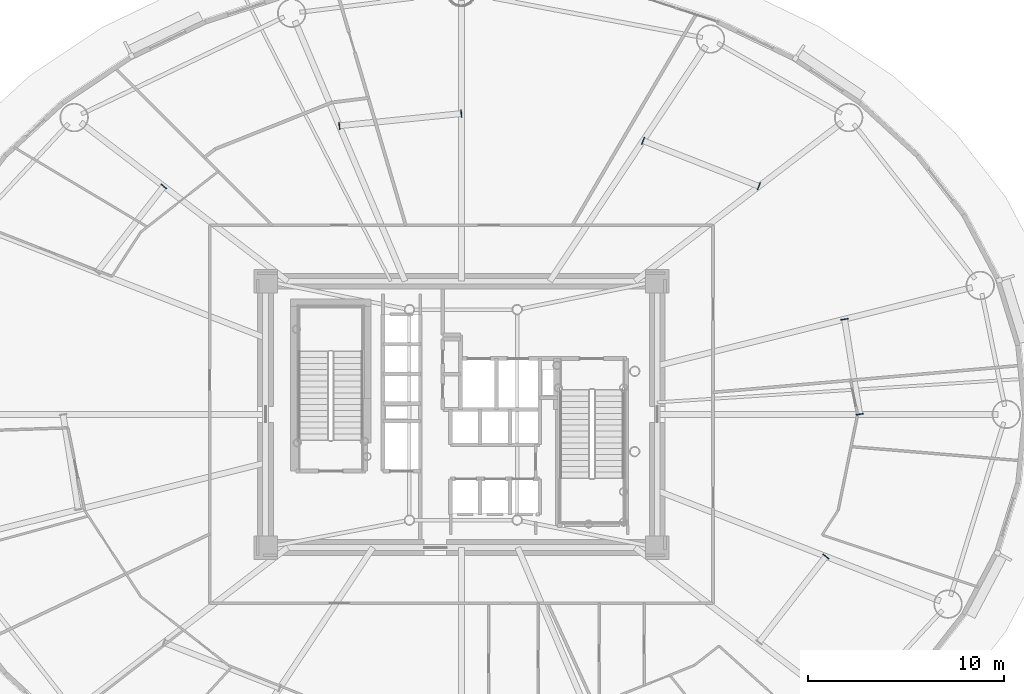
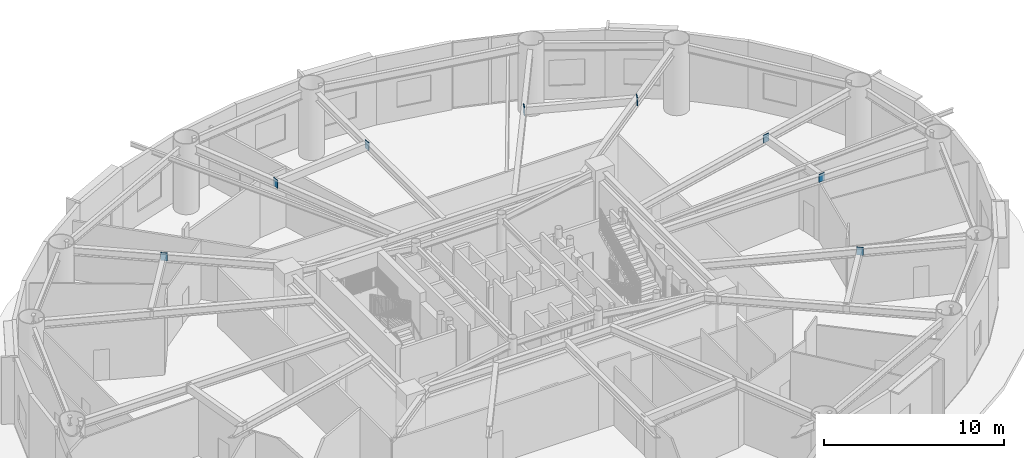
# One storey, part 8 of 19: 8 plates.
"""IFC4 building model written with IfcOpenShell, lengths in metres."""

from ifc_helpers import new_model, si_unit, direction, frame, origin, origin_2d, place, context, subcontext, project, spatial, rectangle, extrude, source, transform, mapped, material, layer, layer_set, type_object, element, save


model = new_model("IFC4")

# Units and contexts
model_context = context("Model", 3, precision=1e-05, world=origin(), true_north=direction((0.0, 1.0)))
body_context = subcontext(model_context, "Body", "Model", "MODEL_VIEW")
ifc_project = project(units=[si_unit("LENGTHUNIT", "METRE"), si_unit("AREAUNIT", "SQUARE_METRE"), si_unit("VOLUMEUNIT", "CUBIC_METRE"), si_unit("PLANEANGLEUNIT", "RADIAN"), si_unit("MASSUNIT", "GRAM", prefix="KILO")], contexts=[model_context])

# Site, building, storey
site_placement = place(None, origin())
site = spatial("IfcSite", under=ifc_project, at=site_placement, CompositionType="ELEMENT")
building_placement = place(site_placement, origin())
building = spatial("IfcBuilding", under=site, at=building_placement, Name="Linh Dai School and Residence Tower", CompositionType="ELEMENT")
storey_placement = place(building_placement, frame((0.0, 0.0, 92.39990234375)))
storey = spatial("IfcBuildingStorey", under=building, at=storey_placement, Name="L21", CompositionType="ELEMENT", Elevation=92.39990234375)

# Plates
ifc_material = material(Name="Structural Steel S355JR", Category="steel")
ifc_layer = layer(ifc_material, 0.0400390625)
ifc_layer_set = layer_set([ifc_layer], Name="Structural Steel S355JR")
plate_type = type_object("IfcPlateType", Name="PLT-GP1", PredefinedType="USERDEFINED", material=ifc_layer_set)
shared_shape = source(origin(), body_context, "Body", "SweptSolid", [
    extrude(rectangle(XDim=0.0400390625, YDim=0.3798828125, at=origin_2d()), origin(), (0.0, 0.0, 1.0), 0.5400390625),
])
for number, where, z_axis, x_axis, name in (
    (1, (56.337646484375, 27.0048828125, 4.030029296875), (0.0, 0.0, 1.0), (-0.157025103807, 0.987594611556, 0.0), "L21 Secondary Beam End Plate 01A"),
    (2, (55.56640625, 31.85546875, 4.030029296875), (0.0, 0.0, 1.0), (-0.157025103807, 0.987594611556, 0.0), "L21 Secondary Beam End Plate 01B"),
    (3, (51.189453125, 38.64794921875, 4.030029296875), (0.0, 0.0, 1.0), (-0.930752465806, 0.3656498973, 0.0), "L21 Secondary Beam End Plate 02A"),
    (4, (45.279296875, 40.969970703125, 4.030029296875), (0.0, 0.0, 1.0), (-0.930752465806, 0.3656498973, 0.0), "L21 Secondary Beam End Plate 02B"),
    (5, (35.9951171875, 42.357421875, 4.030029296875), (0.0, 0.0, 1.0), (-0.995041739642, -0.09945821419, 0.0), "L21 Secondary Beam End Plate 03A"),
    (6, (29.7705078125, 41.7353515625, 4.030029296875), (0.0, 0.0, 1.0), (-0.995041739642, -0.09945821419, 0.0), "L21 Secondary Beam End Plate 03B"),
    (7, (20.802734375, 38.64208984375, 4.030029296875), (0.0, 0.0, 1.0), (-0.614362913717, -0.789023580287, 0.0), "L21 Secondary Beam End Plate 04A"),
    (8, (54.609375, 19.739990234375, 4.030029296875), (0.0, 0.0, 1.0), (0.614362913717, 0.789023580287, 0.0), "L21 Secondary Beam End Plate 08B"),
):
    element("IfcPlate", number, at=place(storey_placement, frame(where, z_axis=z_axis, x_axis=x_axis)), inside=storey, type_object=plate_type, Name=name, ObjectType="GUSSET PLATE", PredefinedType="USERDEFINED", context=body_context, shape_type="MappedRepresentation", body=[
        mapped(shared_shape, transform((0.0, 0.0, 0.0), x_axis=(1.0, 0.0, 0.0), y_axis=(0.0, 1.0, 0.0), z_axis=(0.0, 0.0, 1.0), scale=1.0)),
    ])

save(model, "model.ifc")
